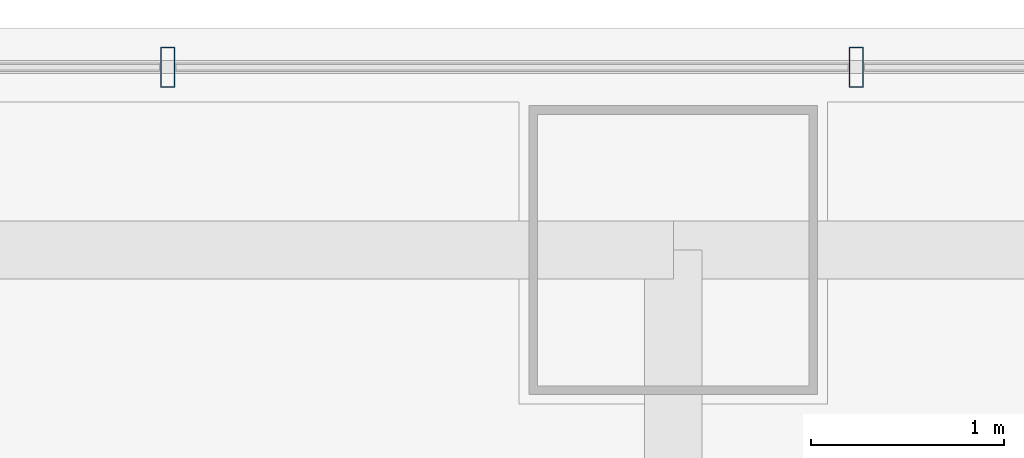
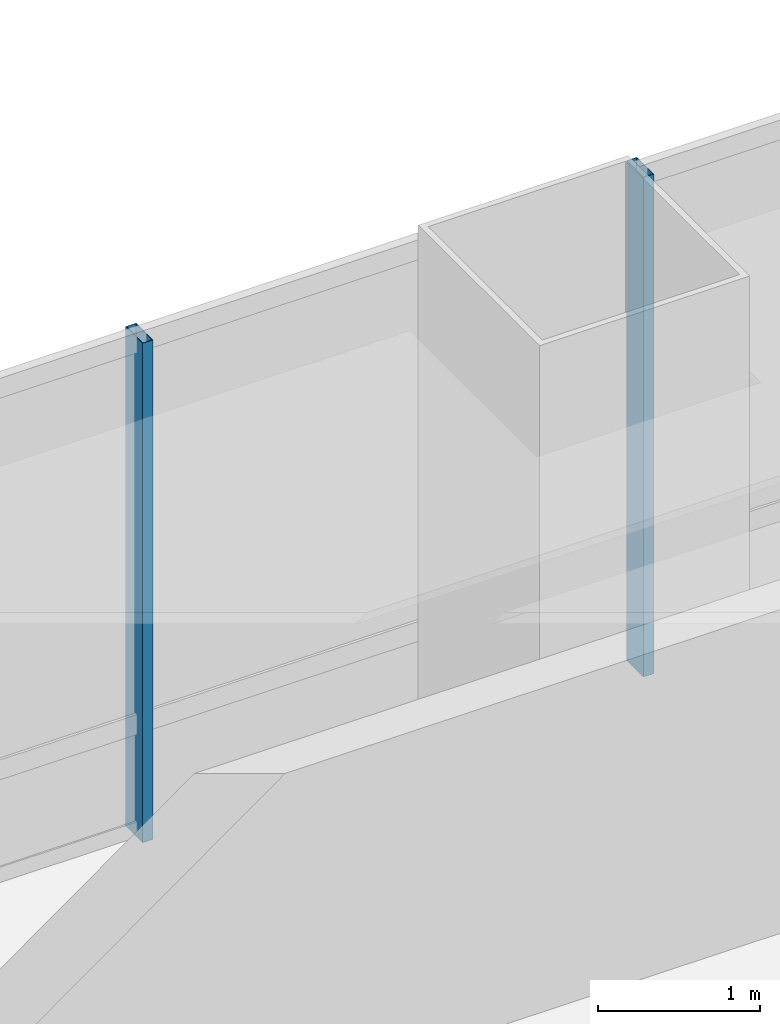
# One storey, part 22 of 45: 2 members, 1 element without a shape of its own.
"""IFC4 building model written with IfcOpenShell, lengths in metres."""

from ifc_helpers import new_model, si_unit, direction, frame, origin, origin_2d, place, context, subcontext, project, spatial, hollow_rectangle, extrude, material, material_profile, profile_set, type_object, element, aggregate, save


model = new_model("IFC4")

# Units and contexts
model_context = context("Model", 3, precision=1e-05, world=origin(), true_north=direction((0.0, 1.0)))
body_context = subcontext(model_context, "Body", "Model", "MODEL_VIEW")
ifc_project = project(units=[si_unit("LENGTHUNIT", "METRE"), si_unit("AREAUNIT", "SQUARE_METRE"), si_unit("VOLUMEUNIT", "CUBIC_METRE"), si_unit("PLANEANGLEUNIT", "RADIAN"), si_unit("MASSUNIT", "GRAM", prefix="KILO")], contexts=[model_context])

# Site, building, storey
site_placement = place(None, origin())
site = spatial("IfcSite", under=ifc_project, at=site_placement, CompositionType="ELEMENT")
building_placement = place(site_placement, origin())
building = spatial("IfcBuilding", under=site, at=building_placement, Name="Punatoya Terracotta Tower", CompositionType="ELEMENT")
storey_placement = place(building_placement, frame((0.0, 0.0, 56.550048828125)))
storey = spatial("IfcBuildingStorey", under=building, at=storey_placement, Name="L12", CompositionType="ELEMENT", Elevation=56.550048828125)

# Curtain wall, members
ifc_material_1 = material(Name="Aluminium 6063-T6 + Double Low-E Glass", Category="aluminium")
curtain_wall_type = type_object("IfcCurtainWallType", Name="CW-M1", PredefinedType="NOTDEFINED", material=ifc_material_1)
curtain_wall_placement = place(storey_placement, origin())
curtain_wall = element("IfcCurtainWall", 1, at=curtain_wall_placement, inside=storey, type_object=curtain_wall_type, Name="L12 Curtain Wall CW-L12-N09-1", PredefinedType="NOTDEFINED")
ifc_material_2 = material(Name="Aluminium 6063-T6", Category="aluminium")
ifc_material_profile = material_profile(ifc_material_2, hollow_rectangle(XDim=0.074951171875, YDim=0.2099609375, WallThickness=0.00439453125, at=origin_2d()))
ifc_profile_set = profile_set([ifc_material_profile], Name="Aluminium 6063-T6")
member_type = type_object("IfcMemberType", Name="CW-MUL-M1", PredefinedType="MULLION", material=ifc_profile_set)
member_1_placement = place(storey_placement, frame((4.75, 18.449951171875, 0.0), z_axis=(0.0, 0.0, 1.0), x_axis=(1.0, 0.0, 0.0)))
member_1 = element("IfcMember", 2, at=member_1_placement, type_object=member_type, Name="CW-L12-N09-1 Mullion 02", PredefinedType="MULLION", context=body_context, shape_type="SweptSolid", body=[
    extrude(hollow_rectangle(XDim=0.074951171875, YDim=0.2099609375, WallThickness=0.00439453125, at=origin_2d()), origin(), (0.0, 0.0, 1.0), 3.77001953125),
])
member_2_placement = place(storey_placement, frame((1.175048828125, 18.449951171875, 0.0), z_axis=(0.0, 0.0, 1.0), x_axis=(1.0, 0.0, 0.0)))
member_2 = element("IfcMember", 3, at=member_2_placement, type_object=member_type, Name="CW-L12-N09-1 Mullion 03", PredefinedType="MULLION", context=body_context, shape_type="SweptSolid", body=[
    extrude(hollow_rectangle(XDim=0.074951171875, YDim=0.2099609375, WallThickness=0.00439453125, at=origin_2d()), origin(), (0.0, 0.0, 1.0), 3.77001953125),
])
aggregate(curtain_wall, [member_1, member_2])

save(model, "model.ifc")
